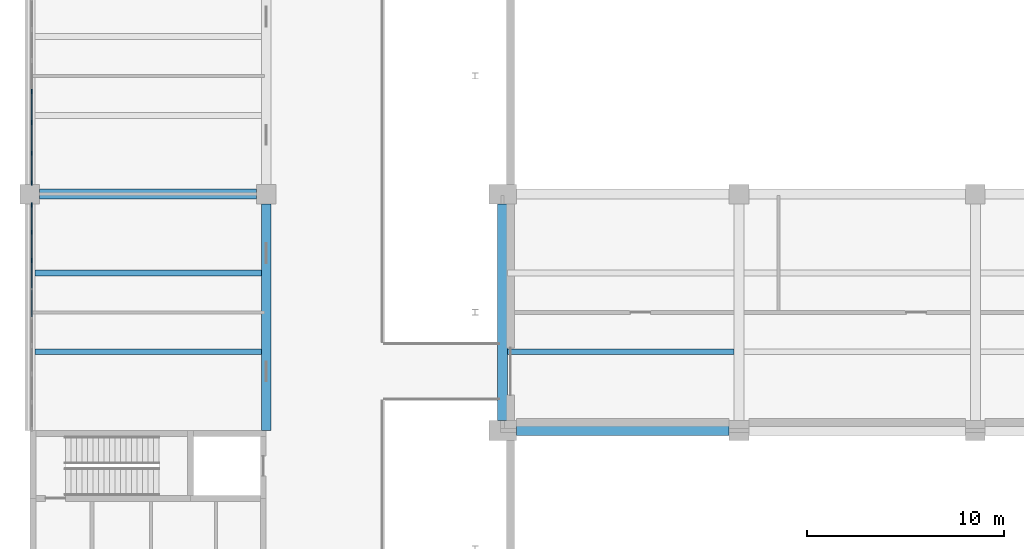
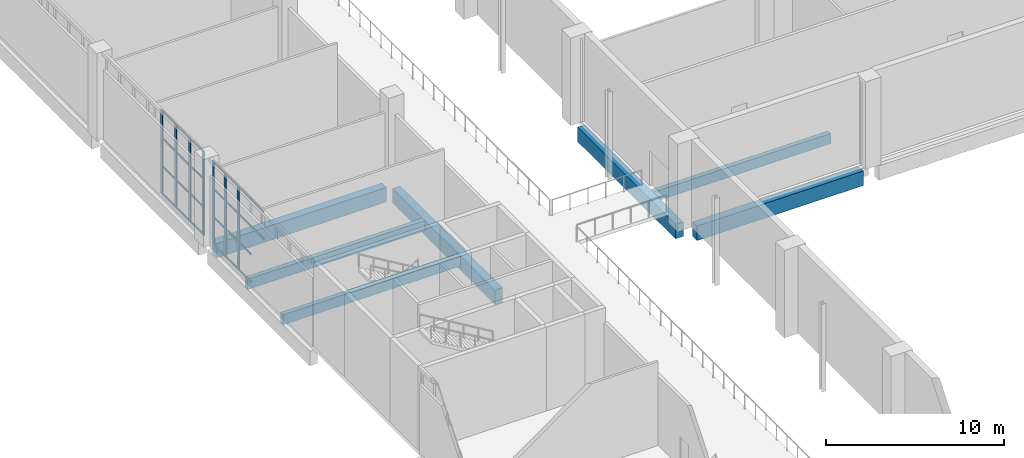
# One storey, part 16 of 72: 33 members, 7 beams, 2 elements without a shape of their own.
"""IFC4 building model written with IfcOpenShell, lengths in metres."""

from ifc_helpers import new_model, si_unit, direction, frame, origin, origin_2d, place, context, subcontext, project, spatial, rectangle, extrude, material, layer, layer_set, material_profile, profile_set, type_object, element, aggregate, save


model = new_model("IFC4")

# Units and contexts
model_context = context("Model", 3, precision=1e-05, world=origin(), true_north=direction((0.0, 1.0)))
body_context = subcontext(model_context, "Body", "Model", "MODEL_VIEW")
ifc_project = project(units=[si_unit("LENGTHUNIT", "METRE"), si_unit("AREAUNIT", "SQUARE_METRE"), si_unit("VOLUMEUNIT", "CUBIC_METRE"), si_unit("PLANEANGLEUNIT", "RADIAN"), si_unit("MASSUNIT", "GRAM", prefix="KILO")], contexts=[model_context])

# Site, building, storey
site_placement = place(None, origin())
site = spatial("IfcSite", under=ifc_project, at=site_placement, CompositionType="ELEMENT")
building_placement = place(site_placement, origin())
building = spatial("IfcBuilding", under=site, at=building_placement, Name="Lilac Gate Convention Centre", CompositionType="ELEMENT")
storey_placement = place(building_placement, frame((0.0, 0.0, 6.0)))
storey = spatial("IfcBuildingStorey", under=building, at=storey_placement, Name="L01", CompositionType="ELEMENT", Elevation=6.0)

# Curtain wall, members
ifc_material_1 = material(Name="Aluminium framed double glazing", Category="aluminium")
ifc_layer = layer(ifc_material_1, 0.199951171875)
ifc_layer_set = layer_set([ifc_layer], Name="Aluminium framed double glazing")
curtain_wall_type = type_object("IfcCurtainWallType", Name="Unitised curtain wall 1500", PredefinedType="NOTDEFINED", material=ifc_layer_set)
curtain_wall_1_placement = place(storey_placement, origin())
curtain_wall_1 = element("IfcCurtainWall", 1, at=curtain_wall_1_placement, inside=storey, type_object=curtain_wall_type, Name="Curtain wall PW L01 7", PredefinedType="NOTDEFINED")
ifc_material_2 = material(Name="Aluminium alloy 6063", Category="aluminium")
ifc_material_profile_1 = material_profile(ifc_material_2, rectangle(XDim=0.06005859375, YDim=0.219970703125, at=origin_2d()), Name="Curtain wall mullion 60 x 220")
ifc_profile_set_1 = profile_set([ifc_material_profile_1], Name="Aluminium alloy 6063")
member_type_1 = type_object("IfcMemberType", Name="Curtain wall mullion 60 x 220", PredefinedType="MULLION", material=ifc_profile_set_1)
member_1_placement = place(storey_placement, frame((6.10009765625, 119.21435546875, 0.0), z_axis=(0.0, 0.0, 1.0), x_axis=(1.0, 0.0, 0.0)))
member_1 = element("IfcMember", 2, at=member_1_placement, type_object=member_type_1, Name="CW mullion 5", PredefinedType="MULLION", context=body_context, shape_type="SweptSolid", body=[
    extrude(rectangle(XDim=0.06005859375, YDim=0.219970703125, at=origin_2d()), origin(), (0.0, 0.0, 1.0), 5.75),
])
member_2_placement = place(storey_placement, frame((6.10009765625, 117.642822265625, 0.0), z_axis=(0.0, 0.0, 1.0), x_axis=(1.0, 0.0, 0.0)))
member_2 = element("IfcMember", 3, at=member_2_placement, type_object=member_type_1, Name="CW mullion 6", PredefinedType="MULLION", context=body_context, shape_type="SweptSolid", body=[
    extrude(rectangle(XDim=0.06005859375, YDim=0.219970703125, at=origin_2d()), origin(), (0.0, 0.0, 1.0), 5.75),
])
member_3_placement = place(storey_placement, frame((6.10009765625, 116.071533203125, 0.0), z_axis=(0.0, 0.0, 1.0), x_axis=(1.0, 0.0, 0.0)))
member_3 = element("IfcMember", 4, at=member_3_placement, type_object=member_type_1, Name="CW mullion 7", PredefinedType="MULLION", context=body_context, shape_type="SweptSolid", body=[
    extrude(rectangle(XDim=0.06005859375, YDim=0.219970703125, at=origin_2d()), origin(), (0.0, 0.0, 1.0), 5.75),
])
member_4_placement = place(storey_placement, frame((6.10009765625, 114.56005859375, 0.0), z_axis=(0.0, 0.0, 1.0), x_axis=(1.0, 0.0, 0.0)))
member_4 = element("IfcMember", 5, at=member_4_placement, type_object=member_type_1, Name="CW mullion 8", PredefinedType="MULLION", context=body_context, shape_type="SweptSolid", body=[
    extrude(rectangle(XDim=0.06005859375, YDim=0.219970703125, at=origin_2d()), origin(), (0.0, 0.0, 1.0), 5.75),
])

curtain_wall_2_placement = place(storey_placement, origin())
curtain_wall_2 = element("IfcCurtainWall", 6, at=curtain_wall_2_placement, inside=storey, type_object=curtain_wall_type, Name="Curtain wall PW L01 8", PredefinedType="NOTDEFINED")
member_5_placement = place(storey_placement, frame((6.10009765625, 113.43994140625, 0.0), z_axis=(0.0, 0.0, 1.0), x_axis=(1.0, 0.0, 0.0)))
member_5 = element("IfcMember", 7, at=member_5_placement, type_object=member_type_1, Name="CW mullion 1", PredefinedType="MULLION", context=body_context, shape_type="SweptSolid", body=[
    extrude(rectangle(XDim=0.06005859375, YDim=0.219970703125, at=origin_2d()), origin(), (0.0, 0.0, 1.0), 5.75),
])
member_6_placement = place(storey_placement, frame((6.10009765625, 112.0625, 0.0), z_axis=(0.0, 0.0, 1.0), x_axis=(1.0, 0.0, 0.0)))
member_6 = element("IfcMember", 8, at=member_6_placement, type_object=member_type_1, Name="CW mullion 2", PredefinedType="MULLION", context=body_context, shape_type="SweptSolid", body=[
    extrude(rectangle(XDim=0.06005859375, YDim=0.219970703125, at=origin_2d()), origin(), (0.0, 0.0, 1.0), 5.75),
])
member_7_placement = place(storey_placement, frame((6.10009765625, 110.625, 0.0), z_axis=(0.0, 0.0, 1.0), x_axis=(1.0, 0.0, 0.0)))
member_7 = element("IfcMember", 9, at=member_7_placement, type_object=member_type_1, Name="CW mullion 3", PredefinedType="MULLION", context=body_context, shape_type="SweptSolid", body=[
    extrude(rectangle(XDim=0.06005859375, YDim=0.219970703125, at=origin_2d()), origin(), (0.0, 0.0, 1.0), 5.75),
])

# Member
ifc_material_profile_2 = material_profile(ifc_material_2, rectangle(XDim=0.06005859375, YDim=0.1201171875, at=origin_2d()), Name="Curtain wall transom 60 x 120")
ifc_profile_set_2 = profile_set([ifc_material_profile_2], Name="Aluminium alloy 6063")
member_type_2 = type_object("IfcMemberType", Name="Curtain wall transom 60 x 120", PredefinedType="USERDEFINED", material=ifc_profile_set_2)
member_8_placement = place(storey_placement, frame((6.10009765625, 119.184326171875, 0.030029296875), z_axis=(0.0, -1.0, 0.0), x_axis=(1.0, 0.0, 0.0)))
member_8 = element("IfcMember", 10, at=member_8_placement, type_object=member_type_2, Name="CW transom 5.1", ObjectType="TRANSOM", PredefinedType="USERDEFINED", context=body_context, shape_type="SweptSolid", body=[
    extrude(rectangle(XDim=0.06005859375, YDim=0.1201171875, at=origin_2d()), origin(), (0.0, 0.0, 1.0), 1.511474609375),
])

member_9_placement = place(storey_placement, frame((6.10009765625, 119.184326171875, 1.916748046875), z_axis=(0.0, -1.0, 0.0), x_axis=(1.0, 0.0, 0.0)))
member_9 = element("IfcMember", 11, at=member_9_placement, type_object=member_type_2, Name="CW transom 5.2", ObjectType="TRANSOM", PredefinedType="USERDEFINED", context=body_context, shape_type="SweptSolid", body=[
    extrude(rectangle(XDim=0.06005859375, YDim=0.1201171875, at=origin_2d()), origin(), (0.0, 0.0, 1.0), 1.511474609375),
])

member_10_placement = place(storey_placement, frame((6.10009765625, 119.184326171875, 3.833251953125), z_axis=(0.0, -1.0, 0.0), x_axis=(1.0, 0.0, 0.0)))
member_10 = element("IfcMember", 12, at=member_10_placement, type_object=member_type_2, Name="CW transom 5.3", ObjectType="TRANSOM", PredefinedType="USERDEFINED", context=body_context, shape_type="SweptSolid", body=[
    extrude(rectangle(XDim=0.06005859375, YDim=0.1201171875, at=origin_2d()), origin(), (0.0, 0.0, 1.0), 1.511474609375),
])

member_11_placement = place(storey_placement, frame((6.10009765625, 119.184326171875, 5.719970703125), z_axis=(0.0, -1.0, 0.0), x_axis=(1.0, 0.0, 0.0)))
member_11 = element("IfcMember", 13, at=member_11_placement, type_object=member_type_2, Name="CW transom 5.4", ObjectType="TRANSOM", PredefinedType="USERDEFINED", context=body_context, shape_type="SweptSolid", body=[
    extrude(rectangle(XDim=0.06005859375, YDim=0.1201171875, at=origin_2d()), origin(), (0.0, 0.0, 1.0), 1.511474609375),
])

member_12_placement = place(storey_placement, frame((6.10009765625, 117.61279296875, 0.030029296875), z_axis=(0.0, -1.0, 0.0), x_axis=(1.0, 0.0, 0.0)))
member_12 = element("IfcMember", 14, at=member_12_placement, type_object=member_type_2, Name="CW transom 6.1", ObjectType="TRANSOM", PredefinedType="USERDEFINED", context=body_context, shape_type="SweptSolid", body=[
    extrude(rectangle(XDim=0.06005859375, YDim=0.1201171875, at=origin_2d()), origin(), (0.0, 0.0, 1.0), 1.511474609375),
])

member_13_placement = place(storey_placement, frame((6.10009765625, 117.61279296875, 1.916748046875), z_axis=(0.0, -1.0, 0.0), x_axis=(1.0, 0.0, 0.0)))
member_13 = element("IfcMember", 15, at=member_13_placement, type_object=member_type_2, Name="CW transom 6.2", ObjectType="TRANSOM", PredefinedType="USERDEFINED", context=body_context, shape_type="SweptSolid", body=[
    extrude(rectangle(XDim=0.06005859375, YDim=0.1201171875, at=origin_2d()), origin(), (0.0, 0.0, 1.0), 1.511474609375),
])

member_14_placement = place(storey_placement, frame((6.10009765625, 117.61279296875, 3.833251953125), z_axis=(0.0, -1.0, 0.0), x_axis=(1.0, 0.0, 0.0)))
member_14 = element("IfcMember", 16, at=member_14_placement, type_object=member_type_2, Name="CW transom 6.3", ObjectType="TRANSOM", PredefinedType="USERDEFINED", context=body_context, shape_type="SweptSolid", body=[
    extrude(rectangle(XDim=0.06005859375, YDim=0.1201171875, at=origin_2d()), origin(), (0.0, 0.0, 1.0), 1.511474609375),
])

member_15_placement = place(storey_placement, frame((6.10009765625, 117.61279296875, 5.719970703125), z_axis=(0.0, -1.0, 0.0), x_axis=(1.0, 0.0, 0.0)))
member_15 = element("IfcMember", 17, at=member_15_placement, type_object=member_type_2, Name="CW transom 6.4", ObjectType="TRANSOM", PredefinedType="USERDEFINED", context=body_context, shape_type="SweptSolid", body=[
    extrude(rectangle(XDim=0.06005859375, YDim=0.1201171875, at=origin_2d()), origin(), (0.0, 0.0, 1.0), 1.511474609375),
])

member_16_placement = place(storey_placement, frame((6.10009765625, 116.04150390625, 0.030029296875), z_axis=(0.0, -1.0, 0.0), x_axis=(1.0, 0.0, 0.0)))
member_16 = element("IfcMember", 18, at=member_16_placement, type_object=member_type_2, Name="CW transom 7.1", ObjectType="TRANSOM", PredefinedType="USERDEFINED", context=body_context, shape_type="SweptSolid", body=[
    extrude(rectangle(XDim=0.06005859375, YDim=0.1201171875, at=origin_2d()), origin(), (0.0, 0.0, 1.0), 1.4814453125),
])

member_17_placement = place(storey_placement, frame((6.10009765625, 116.04150390625, 1.916748046875), z_axis=(0.0, -1.0, 0.0), x_axis=(1.0, 0.0, 0.0)))
member_17 = element("IfcMember", 19, at=member_17_placement, type_object=member_type_2, Name="CW transom 7.2", ObjectType="TRANSOM", PredefinedType="USERDEFINED", context=body_context, shape_type="SweptSolid", body=[
    extrude(rectangle(XDim=0.06005859375, YDim=0.1201171875, at=origin_2d()), origin(), (0.0, 0.0, 1.0), 1.4814453125),
])

member_18_placement = place(storey_placement, frame((6.10009765625, 116.04150390625, 3.833251953125), z_axis=(0.0, -1.0, 0.0), x_axis=(1.0, 0.0, 0.0)))
member_18 = element("IfcMember", 20, at=member_18_placement, type_object=member_type_2, Name="CW transom 7.3", ObjectType="TRANSOM", PredefinedType="USERDEFINED", context=body_context, shape_type="SweptSolid", body=[
    extrude(rectangle(XDim=0.06005859375, YDim=0.1201171875, at=origin_2d()), origin(), (0.0, 0.0, 1.0), 1.4814453125),
])

member_19_placement = place(storey_placement, frame((6.10009765625, 116.04150390625, 5.719970703125), z_axis=(0.0, -1.0, 0.0), x_axis=(1.0, 0.0, 0.0)))
member_19 = element("IfcMember", 21, at=member_19_placement, type_object=member_type_2, Name="CW transom 7.4", ObjectType="TRANSOM", PredefinedType="USERDEFINED", context=body_context, shape_type="SweptSolid", body=[
    extrude(rectangle(XDim=0.06005859375, YDim=0.1201171875, at=origin_2d()), origin(), (0.0, 0.0, 1.0), 1.4814453125),
])

aggregate(curtain_wall_1, [member_1, member_2, member_3, member_4, member_8, member_9, member_10, member_11, member_12, member_13, member_14, member_15, member_16, member_17, member_18, member_19])

member_20_placement = place(storey_placement, frame((6.10009765625, 113.43994140625, 0.030029296875), z_axis=(0.0, -1.0, 0.0), x_axis=(1.0, 0.0, 0.0)))
member_20 = element("IfcMember", 22, at=member_20_placement, type_object=member_type_2, Name="CW transom 1.1", ObjectType="TRANSOM", PredefinedType="USERDEFINED", context=body_context, shape_type="SweptSolid", body=[
    extrude(rectangle(XDim=0.06005859375, YDim=0.1201171875, at=origin_2d()), origin(), (0.0, 0.0, 1.0), 1.347412109375),
])

member_21_placement = place(storey_placement, frame((6.10009765625, 113.43994140625, 1.916748046875), z_axis=(0.0, -1.0, 0.0), x_axis=(1.0, 0.0, 0.0)))
member_21 = element("IfcMember", 23, at=member_21_placement, type_object=member_type_2, Name="CW transom 1.2", ObjectType="TRANSOM", PredefinedType="USERDEFINED", context=body_context, shape_type="SweptSolid", body=[
    extrude(rectangle(XDim=0.06005859375, YDim=0.1201171875, at=origin_2d()), origin(), (0.0, 0.0, 1.0), 1.347412109375),
])

member_22_placement = place(storey_placement, frame((6.10009765625, 113.43994140625, 3.833251953125), z_axis=(0.0, -1.0, 0.0), x_axis=(1.0, 0.0, 0.0)))
member_22 = element("IfcMember", 24, at=member_22_placement, type_object=member_type_2, Name="CW transom 1.3", ObjectType="TRANSOM", PredefinedType="USERDEFINED", context=body_context, shape_type="SweptSolid", body=[
    extrude(rectangle(XDim=0.06005859375, YDim=0.1201171875, at=origin_2d()), origin(), (0.0, 0.0, 1.0), 1.347412109375),
])

member_23_placement = place(storey_placement, frame((6.10009765625, 113.43994140625, 5.719970703125), z_axis=(0.0, -1.0, 0.0), x_axis=(1.0, 0.0, 0.0)))
member_23 = element("IfcMember", 25, at=member_23_placement, type_object=member_type_2, Name="CW transom 1.4", ObjectType="TRANSOM", PredefinedType="USERDEFINED", context=body_context, shape_type="SweptSolid", body=[
    extrude(rectangle(XDim=0.06005859375, YDim=0.1201171875, at=origin_2d()), origin(), (0.0, 0.0, 1.0), 1.347412109375),
])

member_24_placement = place(storey_placement, frame((6.10009765625, 112.032470703125, 0.030029296875), z_axis=(0.0, -1.0, 0.0), x_axis=(1.0, 0.0, 0.0)))
member_24 = element("IfcMember", 26, at=member_24_placement, type_object=member_type_2, Name="CW transom 2.1", ObjectType="TRANSOM", PredefinedType="USERDEFINED", context=body_context, shape_type="SweptSolid", body=[
    extrude(rectangle(XDim=0.06005859375, YDim=0.1201171875, at=origin_2d()), origin(), (0.0, 0.0, 1.0), 1.37744140625),
])

member_25_placement = place(storey_placement, frame((6.10009765625, 112.032470703125, 1.916748046875), z_axis=(0.0, -1.0, 0.0), x_axis=(1.0, 0.0, 0.0)))
member_25 = element("IfcMember", 27, at=member_25_placement, type_object=member_type_2, Name="CW transom 2.2", ObjectType="TRANSOM", PredefinedType="USERDEFINED", context=body_context, shape_type="SweptSolid", body=[
    extrude(rectangle(XDim=0.06005859375, YDim=0.1201171875, at=origin_2d()), origin(), (0.0, 0.0, 1.0), 1.37744140625),
])

member_26_placement = place(storey_placement, frame((6.10009765625, 112.032470703125, 3.833251953125), z_axis=(0.0, -1.0, 0.0), x_axis=(1.0, 0.0, 0.0)))
member_26 = element("IfcMember", 28, at=member_26_placement, type_object=member_type_2, Name="CW transom 2.3", ObjectType="TRANSOM", PredefinedType="USERDEFINED", context=body_context, shape_type="SweptSolid", body=[
    extrude(rectangle(XDim=0.06005859375, YDim=0.1201171875, at=origin_2d()), origin(), (0.0, 0.0, 1.0), 1.37744140625),
])

member_27_placement = place(storey_placement, frame((6.10009765625, 112.032470703125, 5.719970703125), z_axis=(0.0, -1.0, 0.0), x_axis=(1.0, 0.0, 0.0)))
member_27 = element("IfcMember", 29, at=member_27_placement, type_object=member_type_2, Name="CW transom 2.4", ObjectType="TRANSOM", PredefinedType="USERDEFINED", context=body_context, shape_type="SweptSolid", body=[
    extrude(rectangle(XDim=0.06005859375, YDim=0.1201171875, at=origin_2d()), origin(), (0.0, 0.0, 1.0), 1.37744140625),
])

member_28_placement = place(storey_placement, frame((6.10009765625, 110.594970703125, 0.030029296875), z_axis=(0.0, -1.0, 0.0), x_axis=(1.0, 0.0, 0.0)))
member_28 = element("IfcMember", 30, at=member_28_placement, type_object=member_type_2, Name="CW transom 3.1", ObjectType="TRANSOM", PredefinedType="USERDEFINED", context=body_context, shape_type="SweptSolid", body=[
    extrude(rectangle(XDim=0.06005859375, YDim=0.1201171875, at=origin_2d()), origin(), (0.0, 0.0, 1.0), 1.37744140625),
])

member_29_placement = place(storey_placement, frame((6.10009765625, 110.594970703125, 1.916748046875), z_axis=(0.0, -1.0, 0.0), x_axis=(1.0, 0.0, 0.0)))
member_29 = element("IfcMember", 31, at=member_29_placement, type_object=member_type_2, Name="CW transom 3.2", ObjectType="TRANSOM", PredefinedType="USERDEFINED", context=body_context, shape_type="SweptSolid", body=[
    extrude(rectangle(XDim=0.06005859375, YDim=0.1201171875, at=origin_2d()), origin(), (0.0, 0.0, 1.0), 1.37744140625),
])

member_30_placement = place(storey_placement, frame((6.10009765625, 110.594970703125, 3.833251953125), z_axis=(0.0, -1.0, 0.0), x_axis=(1.0, 0.0, 0.0)))
member_30 = element("IfcMember", 32, at=member_30_placement, type_object=member_type_2, Name="CW transom 3.3", ObjectType="TRANSOM", PredefinedType="USERDEFINED", context=body_context, shape_type="SweptSolid", body=[
    extrude(rectangle(XDim=0.06005859375, YDim=0.1201171875, at=origin_2d()), origin(), (0.0, 0.0, 1.0), 1.37744140625),
])

member_31_placement = place(storey_placement, frame((6.10009765625, 110.594970703125, 5.719970703125), z_axis=(0.0, -1.0, 0.0), x_axis=(1.0, 0.0, 0.0)))
member_31 = element("IfcMember", 33, at=member_31_placement, type_object=member_type_2, Name="CW transom 3.4", ObjectType="TRANSOM", PredefinedType="USERDEFINED", context=body_context, shape_type="SweptSolid", body=[
    extrude(rectangle(XDim=0.06005859375, YDim=0.1201171875, at=origin_2d()), origin(), (0.0, 0.0, 1.0), 1.37744140625),
])

member_32_placement = place(storey_placement, frame((6.10009765625, 109.157470703125, 3.833251953125), z_axis=(0.0, -1.0, 0.0), x_axis=(1.0, 0.0, 0.0)))
member_32 = element("IfcMember", 34, at=member_32_placement, type_object=member_type_2, Name="CW transom 4.3", ObjectType="TRANSOM", PredefinedType="USERDEFINED", context=body_context, shape_type="SweptSolid", body=[
    extrude(rectangle(XDim=0.06005859375, YDim=0.1201171875, at=origin_2d()), origin(), (0.0, 0.0, 1.0), 1.37744140625),
])

member_33_placement = place(storey_placement, frame((6.10009765625, 109.157470703125, 5.719970703125), z_axis=(0.0, -1.0, 0.0), x_axis=(1.0, 0.0, 0.0)))
member_33 = element("IfcMember", 35, at=member_33_placement, type_object=member_type_2, Name="CW transom 4.4", ObjectType="TRANSOM", PredefinedType="USERDEFINED", context=body_context, shape_type="SweptSolid", body=[
    extrude(rectangle(XDim=0.06005859375, YDim=0.1201171875, at=origin_2d()), origin(), (0.0, 0.0, 1.0), 1.37744140625),
])

aggregate(curtain_wall_2, [member_5, member_6, member_7, member_20, member_21, member_22, member_23, member_24, member_25, member_26, member_27, member_28, member_29, member_30, member_31, member_32, member_33])

# Beams
ifc_material_3 = material(Name="Concrete C40", Category="concrete")
ifc_material_profile_3 = material_profile(ifc_material_3, rectangle(XDim=0.5, YDim=1.0, at=origin_2d()), Name="RC 500x1000")
ifc_profile_set_3 = profile_set([ifc_material_profile_3], Name="Concrete C40")
beam_type_1 = type_object("IfcBeamType", Name="Primary beam 500x1000 C40", PredefinedType="BEAM", material=ifc_profile_set_3)
beam_1_placement = place(storey_placement, frame((30.699951171875, 102.0, -0.75), z_axis=(1.0, 0.0, 0.0), x_axis=(0.0, 1.0, 0.0)))
element("IfcBeam", 36, at=beam_1_placement, inside=storey, type_object=beam_type_1, Name="RB1 L01 3/G-4/G", PredefinedType="BEAM", context=body_context, shape_type="SweptSolid", body=[
    extrude(rectangle(XDim=0.5, YDim=1.0, at=origin_2d()), origin(), (0.0, 0.0, 1.0), 10.800048828125),
])
beam_2_placement = place(storey_placement, frame((6.5, 114.0, -0.75), z_axis=(1.0, 0.0, 0.0), x_axis=(0.0, 1.0, 0.0)))
element("IfcBeam", 37, at=beam_2_placement, inside=storey, type_object=beam_type_1, Name="RB1 L01 1/H-2/H", PredefinedType="BEAM", context=body_context, shape_type="SweptSolid", body=[
    extrude(rectangle(XDim=0.5, YDim=1.0, at=origin_2d()), origin(), (0.0, 0.0, 1.0), 11.0),
])
beam_3_placement = place(storey_placement, frame((18.0, 102.0, -0.75), z_axis=(0.0, 1.0, 0.0), x_axis=(-1.0, 0.0, 0.0)))
element("IfcBeam", 38, at=beam_3_placement, inside=storey, type_object=beam_type_1, Name="RB1 L01 2/G-2/H", PredefinedType="BEAM", context=body_context, shape_type="SweptSolid", body=[
    extrude(rectangle(XDim=0.5, YDim=1.0, at=origin_2d()), origin(), (0.0, 0.0, 1.0), 11.5),
])
beam_4_placement = place(storey_placement, frame((30.0, 102.5, -0.75), z_axis=(0.0, 1.0, 0.0), x_axis=(-1.0, 0.0, 0.0)))
element("IfcBeam", 39, at=beam_4_placement, inside=storey, type_object=beam_type_1, Name="RB1 L01 3/G-3/H", PredefinedType="BEAM", context=body_context, shape_type="SweptSolid", body=[
    extrude(rectangle(XDim=0.5, YDim=1.0, at=origin_2d()), origin(), (0.0, 0.0, 1.0), 11.0),
])
ifc_material_profile_4 = material_profile(ifc_material_3, rectangle(XDim=0.300048828125, YDim=0.699951171875, at=origin_2d()), Name="RC 300x700")
ifc_profile_set_4 = profile_set([ifc_material_profile_4], Name="Concrete C40")
beam_type_2 = type_object("IfcBeamType", Name="Secondary beam 300x700 C40", PredefinedType="BEAM", material=ifc_profile_set_4)
for number, where, z_axis, x_axis, name in (
    (40, (6.25, 106.0, -0.60009765625), (1.0, 0.0, 0.0), (0.0, 1.0, 0.0), "RB2 L01 bay 1/G"),
    (41, (6.25, 110.0, -0.60009765625), (1.0, 0.0, 0.0), (0.0, 1.0, 0.0), "RB2 L01 bay 1/G"),
    (42, (30.25, 106.0, -0.60009765625), (1.0, 0.0, 0.0), (0.0, 1.0, 0.0), "RB2 L01 bay 3/G"),
):
    element("IfcBeam", number, at=place(storey_placement, frame(where, z_axis=z_axis, x_axis=x_axis)), inside=storey, type_object=beam_type_2, Name=name, PredefinedType="BEAM", context=body_context, shape_type="SweptSolid", body=[
        extrude(rectangle(XDim=0.300048828125, YDim=0.699951171875, at=origin_2d()), origin(), (0.0, 0.0, 1.0), 11.5),
    ])

save(model, "model.ifc")
